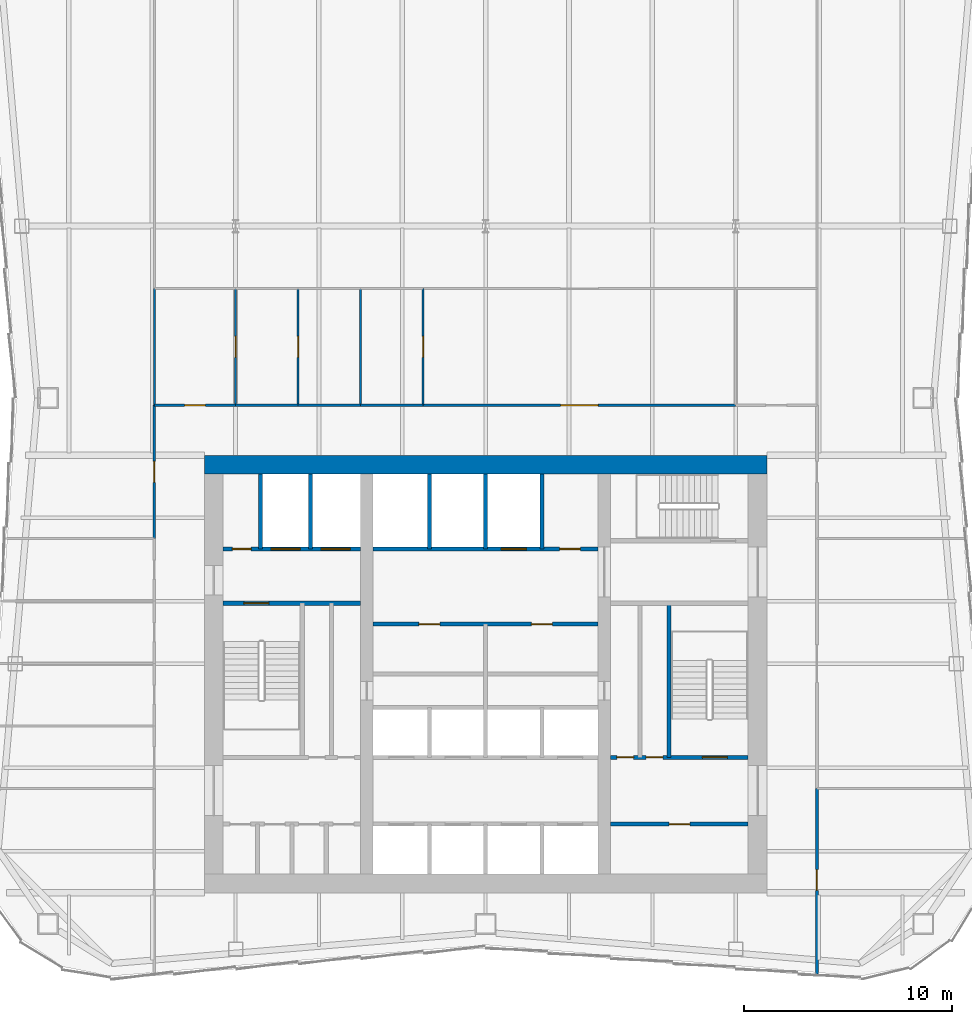
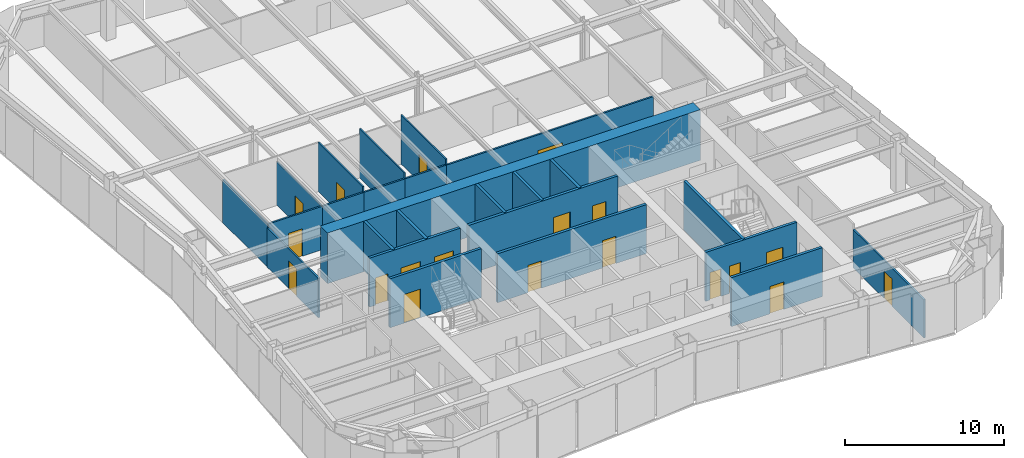
# One storey, part 6 of 10: 25 walls, 19 doors, 19 openings.
"""IFC4 building model written with IfcOpenShell, lengths in metres."""

from ifc_helpers import new_model, si_unit, direction, frame, frame_2d, origin, place, context, subcontext, project, spatial, rectangle, extrude, material, layer, layer_set, type_object, element, fill, save


model = new_model("IFC4")

# Units and contexts
model_context = context("Model", 3, precision=1e-05, world=origin(), true_north=direction((0.0, 1.0)))
body_context = subcontext(model_context, "Body", "Model", "MODEL_VIEW")
ifc_project = project(units=[si_unit("LENGTHUNIT", "METRE"), si_unit("AREAUNIT", "SQUARE_METRE"), si_unit("VOLUMEUNIT", "CUBIC_METRE"), si_unit("PLANEANGLEUNIT", "RADIAN"), si_unit("MASSUNIT", "GRAM", prefix="KILO")], contexts=[model_context])

# Site, building, storey
site_placement = place(None, origin())
site = spatial("IfcSite", under=ifc_project, at=site_placement, CompositionType="ELEMENT")
building_placement = place(site_placement, origin())
building = spatial("IfcBuilding", under=site, at=building_placement, Name="Verdant Reach Tower", CompositionType="ELEMENT")
storey_placement = place(building_placement, frame((0.0, 0.0, 222.0)))
storey = spatial("IfcBuildingStorey", under=building, at=storey_placement, Name="L51", CompositionType="ELEMENT", Elevation=222.0)

# Wall, opening, door
ifc_material_1 = material(Name="Gypsum board on steel studs", Category="steel")
ifc_layer_1 = layer(ifc_material_1, 0.199951171875)
ifc_layer_set_1 = layer_set([ifc_layer_1], Name="CO-WALL-ROOM")
wall_type_1 = type_object("IfcWallType", Name="CO-WALL-ROOM", PredefinedType="PARTITIONING", material=ifc_layer_set_1)
wall_1_placement = place(storey_placement, frame((6.0, 20.800048828125, 0.0), z_axis=(0.0, 0.0, 1.0), x_axis=(1.0, 0.0, 0.0)))
wall_1 = element("IfcWall", 1, at=wall_1_placement, inside=storey, type_object=wall_type_1, Name="Core partition, L51", PredefinedType="PARTITIONING", context=body_context, shape_type="SweptSolid", body=[
    extrude(rectangle(XDim=6.60009765625, YDim=0.199951171875, at=frame_2d((3.300048828125, 0.0))), origin(), (0.0, 0.0, 1.0), 3.75),
])
opening_1_placement = place(wall_1_placement, frame((2.800048828125, 0.0, 0.0)))
opening_1 = element("IfcOpeningElement", 2, at=opening_1_placement, cuts=wall_1, Name="Opening CD", PredefinedType="OPENING", context=body_context, shape_type="SweptSolid", body=[
    extrude(rectangle(XDim=1.0, YDim=2.10009765625, at=frame_2d((0.5, 1.050048828125))), frame((0.0, 0.10986328125, 0.0), z_axis=(0.0, -1.0, 0.0), x_axis=(1.0, 0.0, 0.0)), (0.0, 0.0, 1.0), 0.219970703125),
])
ifc_material_2 = material(Name="Timber", Category="wood")
door_type_1 = type_object("IfcDoorType", Name="CO-DOOR-ROOM", OperationType="NOTDEFINED", PredefinedType="DOOR", material=ifc_material_2)
door_1_placement = place(opening_1_placement, origin())
door_1 = element("IfcDoor", 3, at=door_1_placement, inside=storey, type_object=door_type_1, Name="Core room door, L51", OperationType="SINGLE_SWING_LEFT", OverallHeight=2.10009765625, OverallWidth=1.0, PredefinedType="DOOR", context=body_context, shape_type="SweptSolid", body=[
    extrude(rectangle(XDim=1.0, YDim=2.10009765625, at=frame_2d((0.5, 1.050048828125))), frame((0.0, 0.02490234375, 0.0), z_axis=(0.0, -1.0, 0.0), x_axis=(1.0, 0.0, 0.0)), (0.0, 0.0, 1.0), 0.050048828125),
])
fill(opening_1, door_1)

# Wall, openings, doors
wall_2_placement = place(storey_placement, frame((-5.39990234375, 30.39990234375, 0.0), z_axis=(0.0, 0.0, 1.0), x_axis=(1.0, 0.0, 0.0)))
wall_2 = element("IfcWall", 4, at=wall_2_placement, inside=storey, type_object=wall_type_1, Name="Core partition, L51", PredefinedType="PARTITIONING", context=body_context, shape_type="SweptSolid", body=[
    extrude(rectangle(XDim=10.7998046875, YDim=0.199951171875, at=frame_2d((5.39990234375, 0.0))), origin(), (0.0, 0.0, 1.0), 3.75),
])
opening_2_placement = place(wall_2_placement, frame((2.199951171875, 0.0, 0.0)))
opening_2 = element("IfcOpeningElement", 5, at=opening_2_placement, cuts=wall_2, Name="Opening CD", PredefinedType="OPENING", context=body_context, shape_type="SweptSolid", body=[
    extrude(rectangle(XDim=1.0, YDim=2.10009765625, at=frame_2d((0.5, 1.050048828125))), frame((0.0, 0.10986328125, 0.0), z_axis=(0.0, -1.0, 0.0), x_axis=(1.0, 0.0, 0.0)), (0.0, 0.0, 1.0), 0.219970703125),
])
opening_3_placement = place(wall_2_placement, frame((7.60009765625, 0.0, 0.0)))
opening_3 = element("IfcOpeningElement", 6, at=opening_3_placement, cuts=wall_2, Name="Opening CD", PredefinedType="OPENING", context=body_context, shape_type="SweptSolid", body=[
    extrude(rectangle(XDim=1.0, YDim=2.10009765625, at=frame_2d((0.5, 1.050048828125))), frame((0.0, 0.10986328125, 0.0), z_axis=(0.0, -1.0, 0.0), x_axis=(1.0, 0.0, 0.0)), (0.0, 0.0, 1.0), 0.219970703125),
])
door_2_placement = place(opening_2_placement, origin())
door_2 = element("IfcDoor", 7, at=door_2_placement, inside=storey, type_object=door_type_1, Name="Core room door, L51", OperationType="SINGLE_SWING_LEFT", OverallHeight=2.10009765625, OverallWidth=1.0, PredefinedType="DOOR", context=body_context, shape_type="SweptSolid", body=[
    extrude(rectangle(XDim=1.0, YDim=2.10009765625, at=frame_2d((0.5, 1.050048828125))), frame((0.0, 0.02490234375, 0.0), z_axis=(0.0, -1.0, 0.0), x_axis=(1.0, 0.0, 0.0)), (0.0, 0.0, 1.0), 0.050048828125),
])
fill(opening_2, door_2)
door_3_placement = place(opening_3_placement, origin())
door_3 = element("IfcDoor", 8, at=door_3_placement, inside=storey, type_object=door_type_1, Name="Core room door, L51", OperationType="SINGLE_SWING_RIGHT", OverallHeight=2.10009765625, OverallWidth=1.0, PredefinedType="DOOR", context=body_context, shape_type="SweptSolid", body=[
    extrude(rectangle(XDim=1.0, YDim=2.10009765625, at=frame_2d((0.5, 1.050048828125))), frame((0.0, 0.02490234375, 0.0), z_axis=(0.0, -1.0, 0.0), x_axis=(1.0, 0.0, 0.0)), (0.0, 0.0, 1.0), 0.050048828125),
])
fill(opening_3, door_3)

ifc_material_3 = material(Name="Concrete C40/50", Category="concrete")
ifc_layer_2 = layer(ifc_material_3, 0.199951171875)
ifc_layer_set_2 = layer_set([ifc_layer_2], Name="CO-WALL-SHAFT")
wall_type_2 = type_object("IfcWallType", Name="CO-WALL-SHAFT", PredefinedType="PARTITIONING", material=ifc_layer_set_2)
wall_3_placement = place(storey_placement, frame((-12.60009765625, 34.0, 0.0), z_axis=(0.0, 0.0, 1.0), x_axis=(1.0, 0.0, 0.0)))
wall_3 = element("IfcWall", 9, at=wall_3_placement, inside=storey, type_object=wall_type_2, Name="Lift shaft wall, L51", PredefinedType="PARTITIONING", context=body_context, shape_type="SweptSolid", body=[
    extrude(rectangle(XDim=6.60009765625, YDim=0.199951171875, at=frame_2d((3.300048828125, 0.0))), origin(), (0.0, 0.0, 1.0), 3.75),
])
opening_4_placement = place(wall_3_placement, frame((4.699951171875, 0.0, 0.0)))
opening_4 = element("IfcOpeningElement", 10, at=opening_4_placement, cuts=wall_3, Name="Opening LD-F1", PredefinedType="OPENING", context=body_context, shape_type="SweptSolid", body=[
    extrude(rectangle(XDim=1.39990234375, YDim=2.199951171875, at=frame_2d((0.699951171875, 1.10009765625))), frame((0.0, 0.10986328125, 0.0), z_axis=(0.0, -1.0, 0.0), x_axis=(1.0, 0.0, 0.0)), (0.0, 0.0, 1.0), 0.219970703125),
])
opening_5_placement = place(wall_3_placement, frame((2.300048828125, 0.0, 0.0)))
opening_5 = element("IfcOpeningElement", 11, at=opening_5_placement, cuts=wall_3, Name="Opening LD-F2", PredefinedType="OPENING", context=body_context, shape_type="SweptSolid", body=[
    extrude(rectangle(XDim=1.39990234375, YDim=2.199951171875, at=frame_2d((0.699951171875, 1.10009765625))), frame((0.0, 0.10986328125, 0.0), z_axis=(0.0, -1.0, 0.0), x_axis=(1.0, 0.0, 0.0)), (0.0, 0.0, 1.0), 0.219970703125),
])
opening_6_placement = place(wall_3_placement, frame((0.449951171875, 0.0, 0.0)))
opening_6 = element("IfcOpeningElement", 12, at=opening_6_placement, cuts=wall_3, Name="Opening RD", PredefinedType="OPENING", context=body_context, shape_type="SweptSolid", body=[
    extrude(rectangle(XDim=0.89990234375, YDim=2.10009765625, at=frame_2d((0.449951171875, 1.050048828125))), frame((0.0, 0.10986328125, 0.0), z_axis=(0.0, -1.0, 0.0), x_axis=(1.0, 0.0, 0.0)), (0.0, 0.0, 1.0), 0.219970703125),
])
ifc_material_4 = material(Name="Stainless steel", Category="steel")
door_type_2 = type_object("IfcDoorType", Name="CO-DOOR-LANDING-FF", OperationType="SLIDING_TO_LEFT", PredefinedType="DOOR", material=ifc_material_4)
door_4_placement = place(opening_4_placement, origin())
door_4 = element("IfcDoor", 13, at=door_4_placement, inside=storey, type_object=door_type_2, Name="Landing door F1, L51", OperationType="SLIDING_TO_LEFT", OverallHeight=2.199951171875, OverallWidth=1.39990234375, PredefinedType="DOOR", context=body_context, shape_type="SweptSolid", body=[
    extrude(rectangle(XDim=1.39990234375, YDim=2.199951171875, at=frame_2d((0.699951171875, 1.10009765625))), frame((0.0, 0.02490234375, 0.0), z_axis=(0.0, -1.0, 0.0), x_axis=(1.0, 0.0, 0.0)), (0.0, 0.0, 1.0), 0.050048828125),
])
fill(opening_4, door_4)
door_5_placement = place(opening_5_placement, origin())
door_5 = element("IfcDoor", 14, at=door_5_placement, inside=storey, type_object=door_type_2, Name="Landing door F2, L51", OperationType="SLIDING_TO_LEFT", OverallHeight=2.199951171875, OverallWidth=1.39990234375, PredefinedType="DOOR", context=body_context, shape_type="SweptSolid", body=[
    extrude(rectangle(XDim=1.39990234375, YDim=2.199951171875, at=frame_2d((0.699951171875, 1.10009765625))), frame((0.0, 0.02490234375, 0.0), z_axis=(0.0, -1.0, 0.0), x_axis=(1.0, 0.0, 0.0)), (0.0, 0.0, 1.0), 0.050048828125),
])
fill(opening_5, door_5)
ifc_material_5 = material(Name="Steel", Category="steel")
door_type_3 = type_object("IfcDoorType", Name="CO-DOOR-RISER", OperationType="NOTDEFINED", PredefinedType="DOOR", material=ifc_material_5)
door_6_placement = place(opening_6_placement, origin())
door_6 = element("IfcDoor", 15, at=door_6_placement, inside=storey, type_object=door_type_3, Name="Core room door, L51", OperationType="SINGLE_SWING_RIGHT", OverallHeight=2.10009765625, OverallWidth=0.89990234375, PredefinedType="DOOR", context=body_context, shape_type="SweptSolid", body=[
    extrude(rectangle(XDim=0.89990234375, YDim=2.10009765625, at=frame_2d((0.449951171875, 1.050048828125))), frame((0.0, 0.02490234375, 0.0), z_axis=(0.0, -1.0, 0.0), x_axis=(1.0, 0.0, 0.0)), (0.0, 0.0, 1.0), 0.050048828125),
])
fill(opening_6, door_6)

wall_4_placement = place(storey_placement, frame((-5.39990234375, 34.0, 0.0), z_axis=(0.0, 0.0, 1.0), x_axis=(1.0, 0.0, 0.0)))
wall_4 = element("IfcWall", 16, at=wall_4_placement, inside=storey, type_object=wall_type_2, Name="Lift shaft wall, L51", PredefinedType="PARTITIONING", context=body_context, shape_type="SweptSolid", body=[
    extrude(rectangle(XDim=10.7998046875, YDim=0.199951171875, at=frame_2d((5.39990234375, 0.0))), origin(), (0.0, 0.0, 1.0), 3.75),
])
opening_7_placement = place(wall_4_placement, frame((6.14990234375, 0.0, 0.0)))
opening_7 = element("IfcOpeningElement", 17, at=opening_7_placement, cuts=wall_4, Name="Opening LD-SL1", PredefinedType="OPENING", context=body_context, shape_type="SweptSolid", body=[
    extrude(rectangle(XDim=1.199951171875, YDim=2.199951171875, at=frame_2d((0.60009765625, 1.10009765625))), frame((0.0, 0.10986328125, 0.0), z_axis=(0.0, -1.0, 0.0), x_axis=(1.0, 0.0, 0.0)), (0.0, 0.0, 1.0), 0.219970703125),
])
opening_8_placement = place(wall_4_placement, frame((8.949951171875, 0.0, 0.0)))
opening_8 = element("IfcOpeningElement", 18, at=opening_8_placement, cuts=wall_4, Name="Opening CD", PredefinedType="OPENING", context=body_context, shape_type="SweptSolid", body=[
    extrude(rectangle(XDim=1.0, YDim=2.10009765625, at=frame_2d((0.5, 1.050048828125))), frame((0.0, 0.10986328125, 0.0), z_axis=(0.0, -1.0, 0.0), x_axis=(1.0, 0.0, 0.0)), (0.0, 0.0, 1.0), 0.219970703125),
])
door_type_4 = type_object("IfcDoorType", Name="CO-DOOR-LANDING", OperationType="SLIDING_TO_LEFT", PredefinedType="DOOR", material=ifc_material_4)
door_7_placement = place(opening_7_placement, origin())
door_7 = element("IfcDoor", 19, at=door_7_placement, inside=storey, type_object=door_type_4, Name="Landing door SL1, L51", OperationType="SLIDING_TO_LEFT", OverallHeight=2.199951171875, OverallWidth=1.199951171875, PredefinedType="DOOR", context=body_context, shape_type="SweptSolid", body=[
    extrude(rectangle(XDim=1.199951171875, YDim=2.199951171875, at=frame_2d((0.60009765625, 1.10009765625))), frame((0.0, 0.02490234375, 0.0), z_axis=(0.0, -1.0, 0.0), x_axis=(1.0, 0.0, 0.0)), (0.0, 0.0, 1.0), 0.050048828125),
])
fill(opening_7, door_7)
door_8_placement = place(opening_8_placement, origin())
door_8 = element("IfcDoor", 20, at=door_8_placement, inside=storey, type_object=door_type_1, Name="Core room door, L51", OperationType="SINGLE_SWING_LEFT", OverallHeight=2.10009765625, OverallWidth=1.0, PredefinedType="DOOR", context=body_context, shape_type="SweptSolid", body=[
    extrude(rectangle(XDim=1.0, YDim=2.10009765625, at=frame_2d((0.5, 1.050048828125))), frame((0.0, 0.02490234375, 0.0), z_axis=(0.0, -1.0, 0.0), x_axis=(1.0, 0.0, 0.0)), (0.0, 0.0, 1.0), 0.050048828125),
])
fill(opening_8, door_8)

# Walls
for number, where, z_axis, x_axis, name in (
    (21, (-10.800048828125, 34.0, 0.0), (0.0, 0.0, 1.0), (0.0, 1.0, 0.0), "Lift shaft wall, L51"),
    (22, (-8.39990234375, 34.0, 0.0), (0.0, 0.0, 1.0), (0.0, 1.0, 0.0), "Lift shaft wall, L51"),
    (23, (-2.699951171875, 34.0, 0.0), (0.0, 0.0, 1.0), (0.0, 1.0, 0.0), "Lift shaft wall, L51"),
    (24, (0.0, 34.0, 0.0), (0.0, 0.0, 1.0), (0.0, 1.0, 0.0), "Lift shaft wall, L51"),
    (25, (2.699951171875, 34.0, 0.0), (0.0, 0.0, 1.0), (0.0, 1.0, 0.0), "Lift shaft wall, L51"),
):
    element("IfcWall", number, at=place(storey_placement, frame(where, z_axis=z_axis, x_axis=x_axis)), inside=storey, type_object=wall_type_2, Name=name, PredefinedType="PARTITIONING", context=body_context, shape_type="SweptSolid", body=[
        extrude(rectangle(XDim=3.60009765625, YDim=0.199951171875, at=frame_2d((1.800048828125, 0.0))), origin(), (0.0, 0.0, 1.0), 3.75),
    ])

# Wall, openings, doors
ifc_layer_3 = layer(ifc_material_3, 0.199951171875)
ifc_layer_set_3 = layer_set([ifc_layer_3], Name="CO-WALL-STAIR")
wall_type_3 = type_object("IfcWallType", Name="CO-WALL-STAIR", PredefinedType="PARTITIONING", material=ifc_layer_set_3)
wall_5_placement = place(storey_placement, frame((6.0, 24.0, 0.0), z_axis=(0.0, 0.0, 1.0), x_axis=(1.0, 0.0, 0.0)))
wall_5 = element("IfcWall", 26, at=wall_5_placement, inside=storey, type_object=wall_type_3, Name="Stair enclosure wall, L51", PredefinedType="PARTITIONING", context=body_context, shape_type="SweptSolid", body=[
    extrude(rectangle(XDim=6.60009765625, YDim=0.199951171875, at=frame_2d((3.300048828125, 0.0))), origin(), (0.0, 0.0, 1.0), 3.75),
])
opening_9_placement = place(wall_5_placement, frame((0.300048828125, 0.0, 0.0)))
opening_9 = element("IfcOpeningElement", 27, at=opening_9_placement, cuts=wall_5, Name="Opening CDN", PredefinedType="OPENING", context=body_context, shape_type="SweptSolid", body=[
    extrude(rectangle(XDim=0.800048828125, YDim=2.10009765625, at=frame_2d((0.39990234375, 1.050048828125))), frame((0.0, 0.10986328125, 0.0), z_axis=(0.0, -1.0, 0.0), x_axis=(1.0, 0.0, 0.0)), (0.0, 0.0, 1.0), 0.219970703125),
])
opening_10_placement = place(wall_5_placement, frame((1.699951171875, 0.0, 0.0)))
opening_10 = element("IfcOpeningElement", 28, at=opening_10_placement, cuts=wall_5, Name="Opening CDN", PredefinedType="OPENING", context=body_context, shape_type="SweptSolid", body=[
    extrude(rectangle(XDim=0.800048828125, YDim=2.10009765625, at=frame_2d((0.39990234375, 1.050048828125))), frame((0.0, 0.10986328125, 0.0), z_axis=(0.0, -1.0, 0.0), x_axis=(1.0, 0.0, 0.0)), (0.0, 0.0, 1.0), 0.219970703125),
])
opening_11_placement = place(wall_5_placement, frame((4.39990234375, 0.0, 0.0)))
opening_11 = element("IfcOpeningElement", 29, at=opening_11_placement, cuts=wall_5, Name="Opening SD", PredefinedType="OPENING", context=body_context, shape_type="SweptSolid", body=[
    extrude(rectangle(XDim=1.199951171875, YDim=2.199951171875, at=frame_2d((0.60009765625, 1.10009765625))), frame((0.0, 0.10986328125, 0.0), z_axis=(0.0, -1.0, 0.0), x_axis=(1.0, 0.0, 0.0)), (0.0, 0.0, 1.0), 0.219970703125),
])
door_type_5 = type_object("IfcDoorType", Name="CO-DOOR-ROOM-NARROW", OperationType="NOTDEFINED", PredefinedType="DOOR", material=ifc_material_2)
door_9_placement = place(opening_9_placement, origin())
door_9 = element("IfcDoor", 30, at=door_9_placement, inside=storey, type_object=door_type_5, Name="Core room door, L51", OperationType="SINGLE_SWING_RIGHT", OverallHeight=2.10009765625, OverallWidth=0.800048828125, PredefinedType="DOOR", context=body_context, shape_type="SweptSolid", body=[
    extrude(rectangle(XDim=0.800048828125, YDim=2.10009765625, at=frame_2d((0.39990234375, 1.050048828125))), frame((0.0, 0.02490234375, 0.0), z_axis=(0.0, -1.0, 0.0), x_axis=(1.0, 0.0, 0.0)), (0.0, 0.0, 1.0), 0.050048828125),
])
fill(opening_9, door_9)
door_10_placement = place(opening_10_placement, origin())
door_10 = element("IfcDoor", 31, at=door_10_placement, inside=storey, type_object=door_type_5, Name="Core room door, L51", OperationType="SINGLE_SWING_LEFT", OverallHeight=2.10009765625, OverallWidth=0.800048828125, PredefinedType="DOOR", context=body_context, shape_type="SweptSolid", body=[
    extrude(rectangle(XDim=0.800048828125, YDim=2.10009765625, at=frame_2d((0.39990234375, 1.050048828125))), frame((0.0, 0.02490234375, 0.0), z_axis=(0.0, -1.0, 0.0), x_axis=(1.0, 0.0, 0.0)), (0.0, 0.0, 1.0), 0.050048828125),
])
fill(opening_10, door_10)
door_type_6 = type_object("IfcDoorType", Name="CO-DOOR-STAIR", OperationType="NOTDEFINED", PredefinedType="DOOR", material=ifc_material_5)
door_11_placement = place(opening_11_placement, origin())
door_11 = element("IfcDoor", 32, at=door_11_placement, inside=storey, type_object=door_type_6, Name="Stair door, L51", OperationType="SINGLE_SWING_LEFT", OverallHeight=2.199951171875, OverallWidth=1.199951171875, PredefinedType="DOOR", context=body_context, shape_type="SweptSolid", body=[
    extrude(rectangle(XDim=1.199951171875, YDim=2.199951171875, at=frame_2d((0.60009765625, 1.10009765625))), frame((0.0, 0.02490234375, 0.0), z_axis=(0.0, -1.0, 0.0), x_axis=(1.0, 0.0, 0.0)), (0.0, 0.0, 1.0), 0.050048828125),
])
fill(opening_11, door_11)

# Wall, opening, door
wall_6_placement = place(storey_placement, frame((-12.60009765625, 31.39990234375, 0.0), z_axis=(0.0, 0.0, 1.0), x_axis=(1.0, 0.0, 0.0)))
wall_6 = element("IfcWall", 33, at=wall_6_placement, inside=storey, type_object=wall_type_3, Name="Stair enclosure wall, L51", PredefinedType="PARTITIONING", context=body_context, shape_type="SweptSolid", body=[
    extrude(rectangle(XDim=6.60009765625, YDim=0.199951171875, at=frame_2d((3.300048828125, 0.0))), origin(), (0.0, 0.0, 1.0), 3.75),
])
opening_12_placement = place(wall_6_placement, frame((1.0, 0.0, 0.0)))
opening_12 = element("IfcOpeningElement", 34, at=opening_12_placement, cuts=wall_6, Name="Opening SD", PredefinedType="OPENING", context=body_context, shape_type="SweptSolid", body=[
    extrude(rectangle(XDim=1.199951171875, YDim=2.199951171875, at=frame_2d((0.60009765625, 1.10009765625))), frame((0.0, 0.10986328125, 0.0), z_axis=(0.0, -1.0, 0.0), x_axis=(1.0, 0.0, 0.0)), (0.0, 0.0, 1.0), 0.219970703125),
])
door_12_placement = place(opening_12_placement, origin())
door_12 = element("IfcDoor", 35, at=door_12_placement, inside=storey, type_object=door_type_6, Name="Stair door, L51", OperationType="SINGLE_SWING_RIGHT", OverallHeight=2.199951171875, OverallWidth=1.199951171875, PredefinedType="DOOR", context=body_context, shape_type="SweptSolid", body=[
    extrude(rectangle(XDim=1.199951171875, YDim=2.199951171875, at=frame_2d((0.60009765625, 1.10009765625))), frame((0.0, 0.02490234375, 0.0), z_axis=(0.0, -1.0, 0.0), x_axis=(1.0, 0.0, 0.0)), (0.0, 0.0, 1.0), 0.050048828125),
])
fill(opening_12, door_12)

# Wall
wall_7_placement = place(storey_placement, frame((8.800048828125, 24.0, 0.0), z_axis=(0.0, 0.0, 1.0), x_axis=(0.0, 1.0, 0.0)))
element("IfcWall", 36, at=wall_7_placement, inside=storey, type_object=wall_type_3, Name="Stair enclosure wall, L51", PredefinedType="PARTITIONING", context=body_context, shape_type="SweptSolid", body=[
    extrude(rectangle(XDim=7.39990234375, YDim=0.199951171875, at=frame_2d((3.699951171875, 0.0))), origin(), (0.0, 0.0, 1.0), 3.75),
])

# Wall, opening, door
ifc_layer_4 = layer(ifc_material_1, 0.10009765625)
ifc_layer_set_4 = layer_set([ifc_layer_4], Name="FL-W1 Partition 100")
wall_type_4 = type_object("IfcWallType", Name="FL-W1 Partition 100", PredefinedType="PARTITIONING", material=ifc_layer_set_4)
wall_8_placement = place(storey_placement, frame((-12.0, 46.5, 0.0), z_axis=(0.0, 0.0, 1.0), x_axis=(0.0, -1.0, 0.0)))
wall_8 = element("IfcWall", 37, at=wall_8_placement, inside=storey, type_object=wall_type_4, Name="Partition 51.16", PredefinedType="PARTITIONING", context=body_context, shape_type="SweptSolid", body=[
    extrude(rectangle(XDim=5.60009765625, YDim=0.10009765625, at=frame_2d((2.800048828125, 0.0))), origin(), (0.0, 0.0, 1.0), 3.320068359375),
])
opening_13_placement = place(wall_8_placement, frame((2.300048828125, 0.0, 0.0)))
opening_13 = element("IfcOpeningElement", 38, at=opening_13_placement, cuts=wall_8, Name="Opening D3", PredefinedType="OPENING", context=body_context, shape_type="SweptSolid", body=[
    extrude(rectangle(XDim=1.0, YDim=2.10009765625, at=frame_2d((0.5, 1.050048828125))), frame((0.0, 0.06005859375, 0.0), z_axis=(0.0, -1.0, 0.0), x_axis=(1.0, 0.0, 0.0)), (0.0, 0.0, 1.0), 0.1201171875),
])
ifc_material_6 = material(Name="Painted timber door leaf", Category="wood")
door_type_7 = type_object("IfcDoorType", Name="FL-D3 Door 1000x2100", OperationType="NOTDEFINED", PredefinedType="DOOR", material=ifc_material_6)
door_13_placement = place(opening_13_placement, origin())
door_13 = element("IfcDoor", 39, at=door_13_placement, inside=storey, type_object=door_type_7, Name="Door 51-013", OperationType="SINGLE_SWING_LEFT", OverallHeight=2.10009765625, OverallWidth=1.0, PredefinedType="DOOR", context=body_context, shape_type="SweptSolid", body=[
    extrude(rectangle(XDim=1.0, YDim=2.10009765625, at=frame_2d((0.5, 1.050048828125))), frame((0.0, 0.02490234375, 0.0), z_axis=(0.0, -1.0, 0.0), x_axis=(1.0, 0.0, 0.0)), (0.0, 0.0, 1.0), 0.050048828125),
])
fill(opening_13, door_13)

# Wall
wall_9_placement = place(storey_placement, frame((-15.89990234375, 46.50390625, 0.0), z_axis=(0.0, 0.0, 1.0), x_axis=(0.0, -1.0, 0.0)))
element("IfcWall", 40, at=wall_9_placement, inside=storey, type_object=wall_type_4, Name="Partition 51.18", PredefinedType="PARTITIONING", context=body_context, shape_type="SweptSolid", body=[
    extrude(rectangle(XDim=5.60791015625, YDim=0.10009765625, at=frame_2d((2.803955078125, 0.0))), origin(), (0.0, 0.0, 1.0), 3.320068359375),
])

# Wall, opening, door
wall_10_placement = place(storey_placement, frame((-9.0, 46.5, 0.0), z_axis=(0.0, 0.0, 1.0), x_axis=(0.0, -1.0, 0.0)))
wall_10 = element("IfcWall", 41, at=wall_10_placement, inside=storey, type_object=wall_type_4, Name="Partition 51.19", PredefinedType="PARTITIONING", context=body_context, shape_type="SweptSolid", body=[
    extrude(rectangle(XDim=5.60009765625, YDim=0.10009765625, at=frame_2d((2.800048828125, 0.0))), origin(), (0.0, 0.0, 1.0), 3.75),
])
opening_14_placement = place(wall_10_placement, frame((2.300048828125, 0.0, 0.0)))
opening_14 = element("IfcOpeningElement", 42, at=opening_14_placement, cuts=wall_10, Name="Opening D3", PredefinedType="OPENING", context=body_context, shape_type="SweptSolid", body=[
    extrude(rectangle(XDim=1.0, YDim=2.10009765625, at=frame_2d((0.5, 1.050048828125))), frame((0.0, 0.06005859375, 0.0), z_axis=(0.0, -1.0, 0.0), x_axis=(1.0, 0.0, 0.0)), (0.0, 0.0, 1.0), 0.1201171875),
])
door_14_placement = place(opening_14_placement, origin())
door_14 = element("IfcDoor", 43, at=door_14_placement, inside=storey, type_object=door_type_7, Name="Door 51-014", OperationType="SINGLE_SWING_RIGHT", OverallHeight=2.10009765625, OverallWidth=1.0, PredefinedType="DOOR", context=body_context, shape_type="SweptSolid", body=[
    extrude(rectangle(XDim=1.0, YDim=2.10009765625, at=frame_2d((0.5, 1.050048828125))), frame((0.0, 0.02490234375, 0.0), z_axis=(0.0, -1.0, 0.0), x_axis=(1.0, 0.0, 0.0)), (0.0, 0.0, 1.0), 0.050048828125),
])
fill(opening_14, door_14)

# Wall
wall_11_placement = place(storey_placement, frame((-6.0, 40.89990234375, 0.0), z_axis=(0.0, 0.0, 1.0), x_axis=(0.0, 1.0, 0.0)))
element("IfcWall", 44, at=wall_11_placement, inside=storey, type_object=wall_type_4, Name="Partition 51.21", PredefinedType="PARTITIONING", context=body_context, shape_type="SweptSolid", body=[
    extrude(rectangle(XDim=5.60009765625, YDim=0.10009765625, at=frame_2d((2.800048828125, 0.0))), origin(), (0.0, 0.0, 1.0), 3.75),
])

# Wall, opening, door
wall_12_placement = place(storey_placement, frame((-3.0, 40.89990234375, 0.0), z_axis=(0.0, 0.0, 1.0), x_axis=(0.0, 1.0, 0.0)))
wall_12 = element("IfcWall", 45, at=wall_12_placement, inside=storey, type_object=wall_type_4, Name="Partition 51.23", PredefinedType="PARTITIONING", context=body_context, shape_type="SweptSolid", body=[
    extrude(rectangle(XDim=5.60009765625, YDim=0.10009765625, at=frame_2d((2.800048828125, 0.0))), origin(), (0.0, 0.0, 1.0), 3.75),
])
opening_15_placement = place(wall_12_placement, frame((2.300048828125, 0.0, 0.0)))
opening_15 = element("IfcOpeningElement", 46, at=opening_15_placement, cuts=wall_12, Name="Opening D3", PredefinedType="OPENING", context=body_context, shape_type="SweptSolid", body=[
    extrude(rectangle(XDim=1.0, YDim=2.10009765625, at=frame_2d((0.5, 1.050048828125))), frame((0.0, 0.06005859375, 0.0), z_axis=(0.0, -1.0, 0.0), x_axis=(1.0, 0.0, 0.0)), (0.0, 0.0, 1.0), 0.1201171875),
])
door_15_placement = place(opening_15_placement, origin())
door_15 = element("IfcDoor", 47, at=door_15_placement, inside=storey, type_object=door_type_7, Name="Door 51-015", OperationType="SINGLE_SWING_LEFT", OverallHeight=2.10009765625, OverallWidth=1.0, PredefinedType="DOOR", context=body_context, shape_type="SweptSolid", body=[
    extrude(rectangle(XDim=1.0, YDim=2.10009765625, at=frame_2d((0.5, 1.050048828125))), frame((0.0, 0.02490234375, 0.0), z_axis=(0.0, -1.0, 0.0), x_axis=(1.0, 0.0, 0.0)), (0.0, 0.0, 1.0), 0.050048828125),
])
fill(opening_15, door_15)

ifc_material_7 = material(Name="Gypsum board on steel studs, fire rated", Category="steel")
ifc_layer_5 = layer(ifc_material_7, 0.125)
ifc_layer_set_5 = layer_set([ifc_layer_5], Name="FL-W2 Corridor wall 125")
wall_type_5 = type_object("IfcWallType", Name="FL-W2 Corridor wall 125", PredefinedType="PARTITIONING", material=ifc_layer_set_5)
wall_13_placement = place(storey_placement, frame((-15.89990234375, 40.89990234375, 0.0), z_axis=(0.0, 0.0, 1.0), x_axis=(1.0, 0.0, 0.0)))
wall_13 = element("IfcWall", 48, at=wall_13_placement, inside=storey, type_object=wall_type_5, Name="Partition 51.01", PredefinedType="PARTITIONING", context=body_context, shape_type="SweptSolid", body=[
    extrude(rectangle(XDim=3.89990234375, YDim=0.125, at=frame_2d((1.949951171875, 0.0))), origin(), (0.0, 0.0, 1.0), 3.320068359375),
])
opening_16_placement = place(wall_13_placement, frame((1.449951171875, 0.0, 0.0)))
opening_16 = element("IfcOpeningElement", 49, at=opening_16_placement, cuts=wall_13, Name="Opening D2", PredefinedType="OPENING", context=body_context, shape_type="SweptSolid", body=[
    extrude(rectangle(XDim=1.0, YDim=2.10009765625, at=frame_2d((0.5, 1.050048828125))), frame((0.0, 0.072509765625, 0.0), z_axis=(0.0, -1.0, 0.0), x_axis=(1.0, 0.0, 0.0)), (0.0, 0.0, 1.0), 0.14501953125),
])
ifc_material_8 = material(Name="Timber door leaf, fire rated", Category="wood")
door_type_8 = type_object("IfcDoorType", Name="FL-D2 Entrance door 1000x2100 FD30", OperationType="NOTDEFINED", PredefinedType="DOOR", material=ifc_material_8)
door_16_placement = place(opening_16_placement, origin())
door_16 = element("IfcDoor", 50, at=door_16_placement, inside=storey, type_object=door_type_8, Name="Door 51-001", OperationType="SINGLE_SWING_LEFT", OverallHeight=2.10009765625, OverallWidth=1.0, PredefinedType="DOOR", context=body_context, shape_type="SweptSolid", body=[
    extrude(rectangle(XDim=1.0, YDim=2.10009765625, at=frame_2d((0.5, 1.050048828125))), frame((0.0, 0.02490234375, 0.0), z_axis=(0.0, -1.0, 0.0), x_axis=(1.0, 0.0, 0.0)), (0.0, 0.0, 1.0), 0.050048828125),
])
fill(opening_16, door_16)

# Walls
for number, where, z_axis, x_axis, name in (
    (51, (-9.0, 40.89990234375, 0.0), (0.0, 0.0, 1.0), (-1.0, 0.0, 0.0), "Partition 51.02"),
    (52, (-6.0, 40.89990234375, 0.0), (0.0, 0.0, 1.0), (-1.0, 0.0, 0.0), "Partition 51.03"),
    (53, (-3.0, 40.89990234375, 0.0), (0.0, 0.0, 1.0), (-1.0, 0.0, 0.0), "Partition 51.04"),
):
    element("IfcWall", number, at=place(storey_placement, frame(where, z_axis=z_axis, x_axis=x_axis)), inside=storey, type_object=wall_type_5, Name=name, PredefinedType="PARTITIONING", context=body_context, shape_type="SweptSolid", body=[
        extrude(rectangle(XDim=3.0, YDim=0.125, at=frame_2d((1.5, 0.0))), origin(), (0.0, 0.0, 1.0), 3.320068359375),
    ])

# Wall, opening, door
wall_14_placement = place(storey_placement, frame((12.0, 40.89990234375, 0.0), z_axis=(0.0, 0.0, 1.0), x_axis=(-1.0, 0.0, 0.0)))
wall_14 = element("IfcWall", 54, at=wall_14_placement, inside=storey, type_object=wall_type_5, Name="Partition 51.05", PredefinedType="PARTITIONING", context=body_context, shape_type="SweptSolid", body=[
    extrude(rectangle(XDim=15.0, YDim=0.125, at=frame_2d((7.5, 0.0))), origin(), (0.0, 0.0, 1.0), 3.320068359375),
])
opening_17_placement = place(wall_14_placement, frame((6.60009765625, 0.0, 0.0)))
opening_17 = element("IfcOpeningElement", 55, at=opening_17_placement, cuts=wall_14, Name="Opening D4", PredefinedType="OPENING", context=body_context, shape_type="SweptSolid", body=[
    extrude(rectangle(XDim=1.800048828125, YDim=2.10009765625, at=frame_2d((0.89990234375, 1.050048828125))), frame((0.0, 0.072509765625, 0.0), z_axis=(0.0, -1.0, 0.0), x_axis=(1.0, 0.0, 0.0)), (0.0, 0.0, 1.0), 0.14501953125),
])
ifc_material_9 = material(Name="Timber door leaves, fire rated", Category="wood")
door_type_9 = type_object("IfcDoorType", Name="FL-D4 Double door 1800x2100 FD30", OperationType="DOUBLE_DOOR_SINGLE_SWING", PredefinedType="DOOR", material=ifc_material_9)
door_17_placement = place(opening_17_placement, origin())
door_17 = element("IfcDoor", 56, at=door_17_placement, inside=storey, type_object=door_type_9, Name="Door 51-002", OperationType="DOUBLE_DOOR_SINGLE_SWING", OverallHeight=2.10009765625, OverallWidth=1.800048828125, PredefinedType="DOOR", context=body_context, shape_type="SweptSolid", body=[
    extrude(rectangle(XDim=1.800048828125, YDim=2.10009765625, at=frame_2d((0.89990234375, 1.050048828125))), frame((0.0, 0.02490234375, 0.0), z_axis=(0.0, -1.0, 0.0), x_axis=(1.0, 0.0, 0.0)), (0.0, 0.0, 1.0), 0.050048828125),
])
fill(opening_17, door_17)

wall_15_placement = place(storey_placement, frame((-15.89990234375, 34.5, 0.0), z_axis=(0.0, 0.0, 1.0), x_axis=(0.0, 1.0, 0.0)))
wall_15 = element("IfcWall", 57, at=wall_15_placement, inside=storey, type_object=wall_type_5, Name="Partition 51.12", PredefinedType="PARTITIONING", context=body_context, shape_type="SweptSolid", body=[
    extrude(rectangle(XDim=6.404052734375, YDim=0.125, at=frame_2d((3.2021484375, 0.0))), origin(), (0.0, 0.0, 1.0), 3.02001953125),
])
opening_18_placement = place(wall_15_placement, frame((2.701904296875, 0.0, 0.0)))
opening_18 = element("IfcOpeningElement", 58, at=opening_18_placement, cuts=wall_15, Name="Opening D2", PredefinedType="OPENING", context=body_context, shape_type="SweptSolid", body=[
    extrude(rectangle(XDim=1.0, YDim=2.10009765625, at=frame_2d((0.5, 1.050048828125))), frame((0.0, 0.072509765625, 0.0), z_axis=(0.0, -1.0, 0.0), x_axis=(1.0, 0.0, 0.0)), (0.0, 0.0, 1.0), 0.14501953125),
])
door_18_placement = place(opening_18_placement, origin())
door_18 = element("IfcDoor", 59, at=door_18_placement, inside=storey, type_object=door_type_8, Name="Door 51-009", OperationType="SINGLE_SWING_LEFT", OverallHeight=2.10009765625, OverallWidth=1.0, PredefinedType="DOOR", context=body_context, shape_type="SweptSolid", body=[
    extrude(rectangle(XDim=1.0, YDim=2.10009765625, at=frame_2d((0.5, 1.050048828125))), frame((0.0, 0.02490234375, 0.0), z_axis=(0.0, -1.0, 0.0), x_axis=(1.0, 0.0, 0.0)), (0.0, 0.0, 1.0), 0.050048828125),
])
fill(opening_18, door_18)

wall_16_placement = place(storey_placement, frame((15.89990234375, 13.594970703125, 0.0), z_axis=(0.0, 0.0, 1.0), x_axis=(0.0, 1.0, 0.0)))
wall_16 = element("IfcWall", 60, at=wall_16_placement, inside=storey, type_object=wall_type_5, Name="Partition 51.13", PredefinedType="PARTITIONING", context=body_context, shape_type="SweptSolid", body=[
    extrude(rectangle(XDim=8.905029296875, YDim=0.125, at=frame_2d((4.45263671875, 0.0))), origin(), (0.0, 0.0, 1.0), 2.919921875),
])
opening_19_placement = place(wall_16_placement, frame((4.017578125, 0.0, 0.0)))
opening_19 = element("IfcOpeningElement", 61, at=opening_19_placement, cuts=wall_16, Name="Opening D2", PredefinedType="OPENING", context=body_context, shape_type="SweptSolid", body=[
    extrude(rectangle(XDim=1.0, YDim=2.10009765625, at=frame_2d((0.5, 1.050048828125))), frame((0.0, 0.072509765625, 0.0), z_axis=(0.0, -1.0, 0.0), x_axis=(1.0, 0.0, 0.0)), (0.0, 0.0, 1.0), 0.14501953125),
])
door_19_placement = place(opening_19_placement, origin())
door_19 = element("IfcDoor", 62, at=door_19_placement, inside=storey, type_object=door_type_8, Name="Door 51-010", OperationType="SINGLE_SWING_RIGHT", OverallHeight=2.10009765625, OverallWidth=1.0, PredefinedType="DOOR", context=body_context, shape_type="SweptSolid", body=[
    extrude(rectangle(XDim=1.0, YDim=2.10009765625, at=frame_2d((0.5, 1.050048828125))), frame((0.0, 0.02490234375, 0.0), z_axis=(0.0, -1.0, 0.0), x_axis=(1.0, 0.0, 0.0)), (0.0, 0.0, 1.0), 0.050048828125),
])
fill(opening_19, door_19)

# Wall
ifc_material_10 = material(Name="Concrete C70/85", Category="concrete")
ifc_layer_6 = layer(ifc_material_10, 0.89990234375)
ifc_layer_set_6 = layer_set([ifc_layer_6], Name="ST-CORE-WALL-900")
wall_type_6 = type_object("IfcWallType", Name="ST-CORE-WALL-900", PredefinedType="SHEAR", material=ifc_layer_set_6)
wall_17_placement = place(storey_placement, frame((-13.5, 38.050048828125, -0.1298828125), z_axis=(0.0, 0.0, 1.0), x_axis=(1.0, 0.0, 0.0)))
element("IfcWall", 63, at=wall_17_placement, inside=storey, type_object=wall_type_6, Name="Core wall N, L51", PredefinedType="SHEAR", context=body_context, shape_type="SweptSolid", body=[
    extrude(rectangle(XDim=27.0, YDim=0.89990234375, at=frame_2d((13.5, 0.0))), origin(), (0.0, 0.0, 1.0), 3.8798828125),
])

save(model, "model.ifc")
